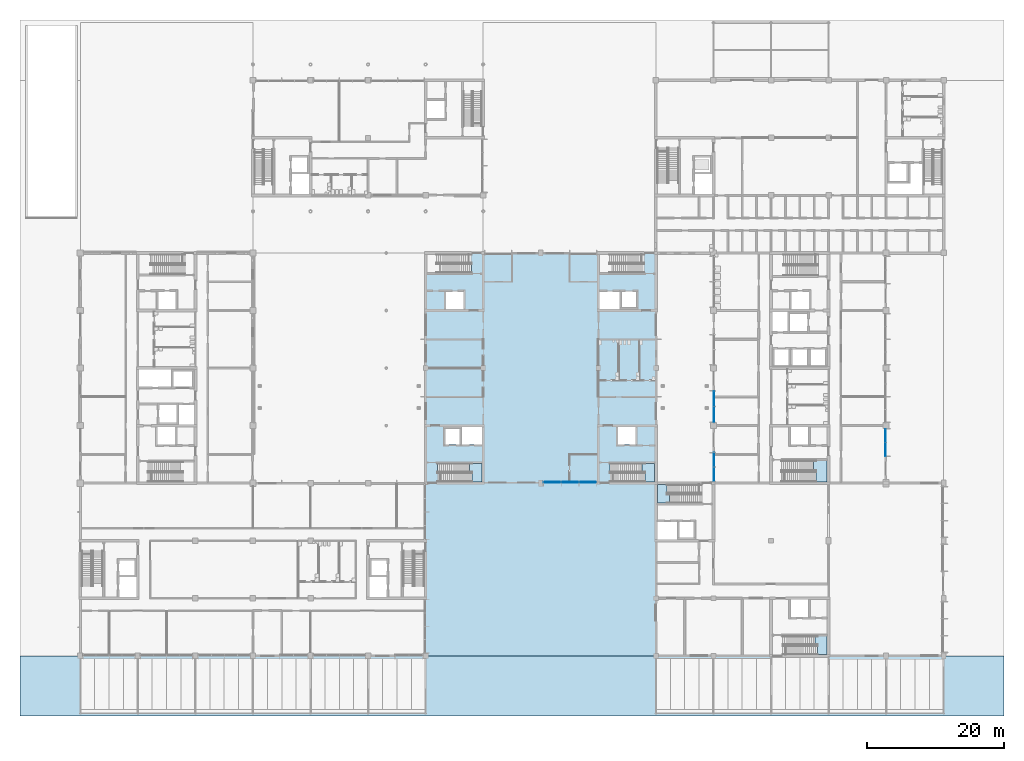
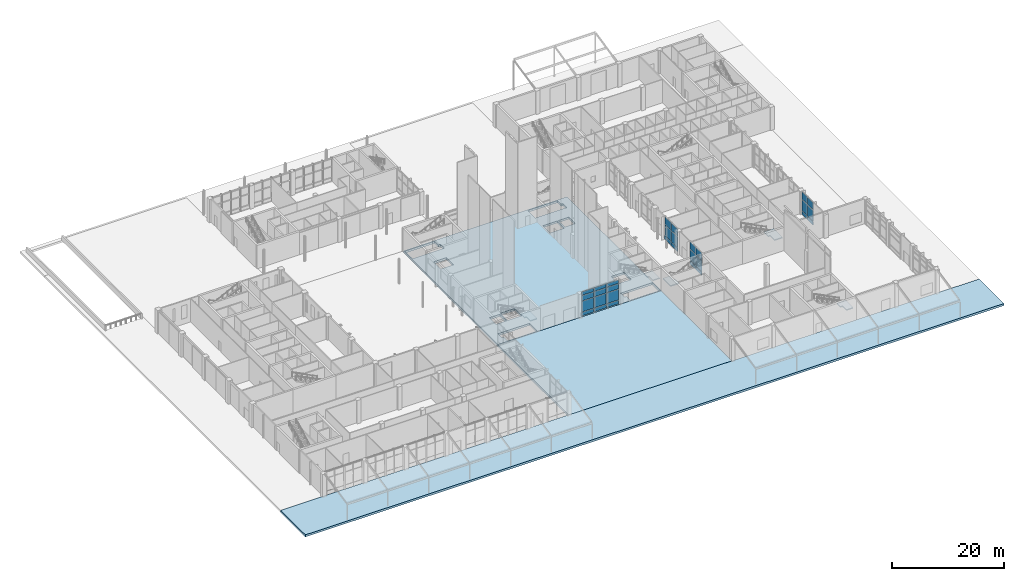
# One storey, part 27 of 76: 30 plates, 8 slabs, 9 elements without a shape of their own.
"""IFC4 building model written with IfcOpenShell, lengths in metres."""

from ifc_helpers import new_model, si_unit, direction, frame, origin, origin_2d, place, context, subcontext, project, spatial, polyline, rectangle, outline, extrude, material, layer, layer_set, type_object, element, aggregate, save


model = new_model("IFC4")

# Units and contexts
model_context = context("Model", 3, precision=1e-05, world=origin(), true_north=direction((0.0, 1.0)))
body_context = subcontext(model_context, "Body", "Model", "MODEL_VIEW")
ifc_project = project(units=[si_unit("LENGTHUNIT", "METRE"), si_unit("AREAUNIT", "SQUARE_METRE"), si_unit("VOLUMEUNIT", "CUBIC_METRE"), si_unit("PLANEANGLEUNIT", "RADIAN"), si_unit("MASSUNIT", "GRAM", prefix="KILO")], contexts=[model_context])

# Site, building, storey
site_placement = place(None, origin())
site = spatial("IfcSite", under=ifc_project, at=site_placement, CompositionType="ELEMENT")
building_placement = place(site_placement, origin())
building = spatial("IfcBuilding", under=site, at=building_placement, Name="Hlaing Beacon Police Headquarters", CompositionType="ELEMENT")
storey_placement = place(building_placement, origin())
storey = spatial("IfcBuildingStorey", under=building, at=storey_placement, Name="L00", CompositionType="ELEMENT", Elevation=0.0)

# Curtain wall, plate
ifc_material_1 = material(Name="Aluminium frame with solar control glazing", Category="aluminium")
curtain_wall_type_1 = type_object("IfcCurtainWallType", Name="Unitised curtain wall 4.05 x 5.05", PredefinedType="NOTDEFINED", material=ifc_material_1)
curtain_wall_1_placement = place(storey_placement, origin())
curtain_wall_1 = element("IfcCurtainWall", 1, at=curtain_wall_1_placement, inside=storey, type_object=curtain_wall_type_1, Name="ENV-CW-L00-E012", PredefinedType="NOTDEFINED")
ifc_material_2 = material(Name="Solar control glazing", Category="glass")
ifc_layer_1 = layer(ifc_material_2, 0.031982421875)
ifc_layer_set_1 = layer_set([ifc_layer_1], Name="Solar control glazing")
plate_type_1 = type_object("IfcPlateType", Name="Clear glazing panel 32", PredefinedType="CURTAIN_PANEL", material=ifc_layer_set_1)
plate_1_placement = place(storey_placement, frame((125.89990234375, 40.5224609375, 3.349853515625), z_axis=(0.0, 0.0, 1.0), x_axis=(0.0, 1.0, 0.0)))
plate_1 = element("IfcPlate", 2, at=plate_1_placement, type_object=plate_type_1, Name="CW-L00-E012 panel 2.3", PredefinedType="CURTAIN_PANEL", context=body_context, shape_type="SweptSolid", body=[
    extrude(rectangle(XDim=1.93505859375, YDim=0.031982421875, at=origin_2d()), origin(), (0.0, 0.0, 1.0), 1.60009765625),
])

ifc_material_3 = material(Name="Aluminium frame with solar control glazing", Category="aluminium")
curtain_wall_type_2 = type_object("IfcCurtainWallType", Name="Unitised curtain wall 4.30 x 5.05", PredefinedType="NOTDEFINED", material=ifc_material_3)
curtain_wall_2_placement = place(storey_placement, origin())
curtain_wall_2 = element("IfcCurtainWall", 3, at=curtain_wall_2_placement, inside=storey, type_object=curtain_wall_type_2, Name="ENV-CW-L00-W019", PredefinedType="NOTDEFINED")
plate_2_placement = place(storey_placement, frame((100.89990234375, 34.889892578125, 3.349853515625), z_axis=(0.0, 0.0, 1.0), x_axis=(0.0, -1.0, 0.0)))
plate_2 = element("IfcPlate", 4, at=plate_2_placement, type_object=plate_type_1, Name="CW-L00-W019 panel 2.3", PredefinedType="CURTAIN_PANEL", context=body_context, shape_type="SweptSolid", body=[
    extrude(rectangle(XDim=2.06005859375, YDim=0.031982421875, at=origin_2d()), origin(), (0.0, 0.0, 1.0), 1.60009765625),
])

# Plate
ifc_material_4 = material(Name="Solar control glazing", Category="glass")
ifc_layer_2 = layer(ifc_material_4, 0.0439453125)
ifc_layer_set_2 = layer_set([ifc_layer_2], Name="Solar control glazing")
plate_type_2 = type_object("IfcPlateType", Name="Clear glazing panel 44", PredefinedType="CURTAIN_PANEL", material=ifc_layer_set_2)
plate_3_placement = place(storey_placement, frame((125.89990234375, 40.5224609375, 0.9501953125), z_axis=(0.0, 0.0, 1.0), x_axis=(0.0, 1.0, 0.0)))
plate_3 = element("IfcPlate", 5, at=plate_3_placement, type_object=plate_type_2, Name="CW-L00-E012 panel 2.2", PredefinedType="CURTAIN_PANEL", context=body_context, shape_type="SweptSolid", body=[
    extrude(rectangle(XDim=1.93505859375, YDim=0.0439453125, at=origin_2d()), origin(), (0.0, 0.0, 1.0), 2.300048828125),
])

# Curtain wall, plates
ifc_material_5 = material(Name="Aluminium frame with solar control glazing", Category="aluminium")
curtain_wall_type_3 = type_object("IfcCurtainWallType", Name="Unitised curtain wall 4.65 x 5.05", PredefinedType="NOTDEFINED", material=ifc_material_5)
curtain_wall_3_placement = place(storey_placement, origin())
curtain_wall_3 = element("IfcCurtainWall", 6, at=curtain_wall_3_placement, inside=storey, type_object=curtain_wall_type_3, Name="ENV-CW-L00-W018", PredefinedType="NOTDEFINED")
plate_4_placement = place(storey_placement, frame((100.89990234375, 43.62744140625, 0.9501953125), z_axis=(0.0, 0.0, 1.0), x_axis=(0.0, -1.0, 0.0)))
plate_4 = element("IfcPlate", 7, at=plate_4_placement, type_object=plate_type_2, Name="CW-L00-W018 panel 2.2", PredefinedType="CURTAIN_PANEL", context=body_context, shape_type="SweptSolid", body=[
    extrude(rectangle(XDim=2.235107421875, YDim=0.0439453125, at=origin_2d()), origin(), (0.0, 0.0, 1.0), 2.300048828125),
])
plate_5_placement = place(storey_placement, frame((100.89990234375, 43.62744140625, 3.349853515625), z_axis=(0.0, 0.0, 1.0), x_axis=(0.0, -1.0, 0.0)))
plate_5 = element("IfcPlate", 8, at=plate_5_placement, type_object=plate_type_2, Name="CW-L00-W018 panel 2.3", PredefinedType="CURTAIN_PANEL", context=body_context, shape_type="SweptSolid", body=[
    extrude(rectangle(XDim=2.235107421875, YDim=0.0439453125, at=origin_2d()), origin(), (0.0, 0.0, 1.0), 1.60009765625),
])

# Plate
plate_6_placement = place(storey_placement, frame((100.89990234375, 34.889892578125, 0.9501953125), z_axis=(0.0, 0.0, 1.0), x_axis=(0.0, -1.0, 0.0)))
plate_6 = element("IfcPlate", 9, at=plate_6_placement, type_object=plate_type_2, Name="CW-L00-W019 panel 2.2", PredefinedType="CURTAIN_PANEL", context=body_context, shape_type="SweptSolid", body=[
    extrude(rectangle(XDim=2.06005859375, YDim=0.0439453125, at=origin_2d()), origin(), (0.0, 0.0, 1.0), 2.300048828125),
])

# Slabs
ifc_material_6 = material(Name="Concrete C50/60", Category="concrete")
ifc_layer_3 = layer(ifc_material_6, 0.449951171875)
ifc_layer_set_3 = layer_set([ifc_layer_3], Name="Concrete C50/60")
slab_type_1 = type_object("IfcSlabType", Name="Deck slab 450", PredefinedType="FLOOR", material=ifc_layer_set_3)
slab_1_placement = place(storey_placement, frame((0.0, 0.0, -0.449951171875)))
element("IfcSlab", 10, at=slab_1_placement, inside=storey, type_object=slab_type_1, Name="STR-SLAB-L00-03", PredefinedType="FLOOR", context=body_context, shape_type="SweptSolid", body=[
    extrude(outline(polyline([(58.800048828125, 33.60009765625), (92.39990234375, 33.60009765625), (92.39990234375, 67.199951171875), (58.800048828125, 67.199951171875), (58.800048828125, 33.60009765625)]), holes=[polyline([(59.0, 64.300048828125), (65.489990234375, 64.300048828125), (65.489990234375, 65.699951171875), (65.10009765625, 65.699951171875), (65.10009765625, 67.0), (59.0, 67.0), (59.0, 64.300048828125)]), polyline([(60.89990234375, 33.800048828125), (67.0, 33.800048828125), (67.0, 36.5), (60.510009765625, 36.5), (60.510009765625, 35.10009765625), (60.89990234375, 35.10009765625), (60.89990234375, 33.800048828125)]), polyline([(61.64990234375, 39.25), (63.800048828125, 39.25), (63.800048828125, 41.550048828125), (61.64990234375, 41.550048828125), (61.64990234375, 39.25)]), polyline([(61.75, 59.0), (64.35009765625, 59.0), (64.35009765625, 61.550048828125), (61.75, 61.550048828125), (61.75, 59.0)]), polyline([(64.050048828125, 39.25), (67.0, 39.25), (67.0, 41.800048828125), (64.050048828125, 41.800048828125), (64.050048828125, 39.25)]), polyline([(84.199951171875, 59.0), (87.14990234375, 59.0), (87.14990234375, 61.550048828125), (84.199951171875, 61.550048828125), (84.199951171875, 59.0)]), polyline([(84.199951171875, 64.300048828125), (90.68994140625, 64.300048828125), (90.68994140625, 65.699951171875), (90.300048828125, 65.699951171875), (90.300048828125, 67.0), (84.199951171875, 67.0), (84.199951171875, 64.300048828125)]), polyline([(86.10009765625, 33.800048828125), (92.199951171875, 33.800048828125), (92.199951171875, 36.5), (85.7099609375, 36.5), (85.7099609375, 35.10009765625), (86.10009765625, 35.10009765625), (86.10009765625, 33.800048828125)]), polyline([(86.85009765625, 39.25), (89.449951171875, 39.25), (89.449951171875, 41.800048828125), (86.85009765625, 41.800048828125), (86.85009765625, 39.25)]), polyline([(87.39990234375, 59.25), (89.550048828125, 59.25), (89.550048828125, 61.550048828125), (87.39990234375, 61.550048828125), (87.39990234375, 59.25)])]), origin(), (0.0, 0.0, 1.0), 0.449951171875),
])
slab_2_placement = place(storey_placement, frame((0.0, 0.0, -0.449951171875)))
element("IfcSlab", 11, at=slab_2_placement, inside=storey, type_object=slab_type_1, Name="STR-SLAB-L00-05", PredefinedType="FLOOR", context=body_context, shape_type="SweptSolid", body=[
    extrude(outline(polyline([(58.800048828125, 8.39990234375), (92.39990234375, 8.39990234375), (92.39990234375, 33.60009765625), (58.800048828125, 33.60009765625), (58.800048828125, 8.39990234375)])), origin(), (0.0, 0.0, 1.0), 0.449951171875),
])
slab_3_placement = place(storey_placement, frame((0.0, 0.0, -0.449951171875)))
element("IfcSlab", 12, at=slab_3_placement, inside=storey, type_object=slab_type_1, Name="STR-SLAB-L00-11", PredefinedType="FLOOR", context=body_context, shape_type="SweptSolid", body=[
    extrude(outline(polyline([(-0.39990234375, -0.39990234375), (143.199951171875, -0.39990234375), (143.199951171875, 8.39990234375), (-0.39990234375, 8.39990234375), (-0.39990234375, -0.39990234375)])), origin(), (0.0, 0.0, 1.0), 0.449951171875),
])

# Plate
ifc_material_7 = material(Name="Fritted solar control glazing", Category="glass")
ifc_layer_4 = layer(ifc_material_7, 0.031982421875)
ifc_layer_set_4 = layer_set([ifc_layer_4], Name="Fritted solar control glazing")
plate_type_3 = type_object("IfcPlateType", Name="Fritted glazing panel 32", PredefinedType="CURTAIN_PANEL", material=ifc_layer_set_4)
plate_7_placement = place(storey_placement, frame((125.89990234375, 38.527587890625, 3.349853515625), z_axis=(0.0, 0.0, 1.0), x_axis=(0.0, 1.0, 0.0)))
plate_7 = element("IfcPlate", 13, at=plate_7_placement, type_object=plate_type_3, Name="CW-L00-E012 panel 1.3", PredefinedType="CURTAIN_PANEL", context=body_context, shape_type="SweptSolid", body=[
    extrude(rectangle(XDim=1.93505859375, YDim=0.031982421875, at=origin_2d()), origin(), (0.0, 0.0, 1.0), 1.60009765625),
])

plate_8_placement = place(storey_placement, frame((100.89990234375, 37.010009765625, 3.349853515625), z_axis=(0.0, 0.0, 1.0), x_axis=(0.0, -1.0, 0.0)))
plate_8 = element("IfcPlate", 14, at=plate_8_placement, type_object=plate_type_3, Name="CW-L00-W019 panel 1.3", PredefinedType="CURTAIN_PANEL", context=body_context, shape_type="SweptSolid", body=[
    extrude(rectangle(XDim=2.06005859375, YDim=0.031982421875, at=origin_2d()), origin(), (0.0, 0.0, 1.0), 1.60009765625),
])

ifc_material_8 = material(Name="Fritted solar control glazing", Category="glass")
ifc_layer_5 = layer(ifc_material_8, 0.0439453125)
ifc_layer_set_5 = layer_set([ifc_layer_5], Name="Fritted solar control glazing")
plate_type_4 = type_object("IfcPlateType", Name="Fritted glazing panel 44", PredefinedType="CURTAIN_PANEL", material=ifc_layer_set_5)
plate_9_placement = place(storey_placement, frame((125.89990234375, 38.527587890625, 0.9501953125), z_axis=(0.0, 0.0, 1.0), x_axis=(0.0, 1.0, 0.0)))
plate_9 = element("IfcPlate", 15, at=plate_9_placement, type_object=plate_type_4, Name="CW-L00-E012 panel 1.2", PredefinedType="CURTAIN_PANEL", context=body_context, shape_type="SweptSolid", body=[
    extrude(rectangle(XDim=1.93505859375, YDim=0.0439453125, at=origin_2d()), origin(), (0.0, 0.0, 1.0), 2.300048828125),
])

plate_10_placement = place(storey_placement, frame((100.89990234375, 45.922607421875, 0.9501953125), z_axis=(0.0, 0.0, 1.0), x_axis=(0.0, -1.0, 0.0)))
plate_10 = element("IfcPlate", 16, at=plate_10_placement, type_object=plate_type_4, Name="CW-L00-W018 panel 1.2", PredefinedType="CURTAIN_PANEL", context=body_context, shape_type="SweptSolid", body=[
    extrude(rectangle(XDim=2.235107421875, YDim=0.0439453125, at=origin_2d()), origin(), (0.0, 0.0, 1.0), 2.300048828125),
])

plate_11_placement = place(storey_placement, frame((100.89990234375, 45.922607421875, 3.349853515625), z_axis=(0.0, 0.0, 1.0), x_axis=(0.0, -1.0, 0.0)))
plate_11 = element("IfcPlate", 17, at=plate_11_placement, type_object=plate_type_4, Name="CW-L00-W018 panel 1.3", PredefinedType="CURTAIN_PANEL", context=body_context, shape_type="SweptSolid", body=[
    extrude(rectangle(XDim=2.235107421875, YDim=0.0439453125, at=origin_2d()), origin(), (0.0, 0.0, 1.0), 1.60009765625),
])

plate_12_placement = place(storey_placement, frame((100.89990234375, 37.010009765625, 0.9501953125), z_axis=(0.0, 0.0, 1.0), x_axis=(0.0, -1.0, 0.0)))
plate_12 = element("IfcPlate", 18, at=plate_12_placement, type_object=plate_type_4, Name="CW-L00-W019 panel 1.2", PredefinedType="CURTAIN_PANEL", context=body_context, shape_type="SweptSolid", body=[
    extrude(rectangle(XDim=2.06005859375, YDim=0.0439453125, at=origin_2d()), origin(), (0.0, 0.0, 1.0), 2.300048828125),
])

ifc_material_9 = material(Name="Insulated aluminium spandrel", Category="aluminium")
ifc_layer_6 = layer(ifc_material_9, 0.10009765625)
ifc_layer_set_6 = layer_set([ifc_layer_6], Name="Insulated aluminium spandrel")
plate_type_5 = type_object("IfcPlateType", Name="Insulated spandrel panel 100", PredefinedType="CURTAIN_PANEL", material=ifc_layer_set_6)
plate_13_placement = place(storey_placement, frame((125.89990234375, 38.527587890625, 0.10009765625), z_axis=(0.0, 0.0, 1.0), x_axis=(0.0, 1.0, 0.0)))
plate_13 = element("IfcPlate", 19, at=plate_13_placement, type_object=plate_type_5, Name="CW-L00-E012 panel 1.1", PredefinedType="CURTAIN_PANEL", context=body_context, shape_type="SweptSolid", body=[
    extrude(rectangle(XDim=1.93505859375, YDim=0.10009765625, at=origin_2d()), origin(), (0.0, 0.0, 1.0), 0.75),
])

plate_14_placement = place(storey_placement, frame((125.89990234375, 40.5224609375, 0.10009765625), z_axis=(0.0, 0.0, 1.0), x_axis=(0.0, 1.0, 0.0)))
plate_14 = element("IfcPlate", 20, at=plate_14_placement, type_object=plate_type_5, Name="CW-L00-E012 panel 2.1", PredefinedType="CURTAIN_PANEL", context=body_context, shape_type="SweptSolid", body=[
    extrude(rectangle(XDim=1.93505859375, YDim=0.10009765625, at=origin_2d()), origin(), (0.0, 0.0, 1.0), 0.75),
])

aggregate(curtain_wall_1, [plate_13, plate_9, plate_7, plate_14, plate_3, plate_1])

plate_15_placement = place(storey_placement, frame((100.89990234375, 45.922607421875, 0.10009765625), z_axis=(0.0, 0.0, 1.0), x_axis=(0.0, -1.0, 0.0)))
plate_15 = element("IfcPlate", 21, at=plate_15_placement, type_object=plate_type_5, Name="CW-L00-W018 panel 1.1", PredefinedType="CURTAIN_PANEL", context=body_context, shape_type="SweptSolid", body=[
    extrude(rectangle(XDim=2.235107421875, YDim=0.10009765625, at=origin_2d()), origin(), (0.0, 0.0, 1.0), 0.75),
])

plate_16_placement = place(storey_placement, frame((100.89990234375, 43.62744140625, 0.10009765625), z_axis=(0.0, 0.0, 1.0), x_axis=(0.0, -1.0, 0.0)))
plate_16 = element("IfcPlate", 22, at=plate_16_placement, type_object=plate_type_5, Name="CW-L00-W018 panel 2.1", PredefinedType="CURTAIN_PANEL", context=body_context, shape_type="SweptSolid", body=[
    extrude(rectangle(XDim=2.235107421875, YDim=0.10009765625, at=origin_2d()), origin(), (0.0, 0.0, 1.0), 0.75),
])

aggregate(curtain_wall_3, [plate_15, plate_10, plate_11, plate_16, plate_4, plate_5])

plate_17_placement = place(storey_placement, frame((100.89990234375, 37.010009765625, 0.10009765625), z_axis=(0.0, 0.0, 1.0), x_axis=(0.0, -1.0, 0.0)))
plate_17 = element("IfcPlate", 23, at=plate_17_placement, type_object=plate_type_5, Name="CW-L00-W019 panel 1.1", PredefinedType="CURTAIN_PANEL", context=body_context, shape_type="SweptSolid", body=[
    extrude(rectangle(XDim=2.06005859375, YDim=0.10009765625, at=origin_2d()), origin(), (0.0, 0.0, 1.0), 0.75),
])

plate_18_placement = place(storey_placement, frame((100.89990234375, 34.889892578125, 0.10009765625), z_axis=(0.0, 0.0, 1.0), x_axis=(0.0, -1.0, 0.0)))
plate_18 = element("IfcPlate", 24, at=plate_18_placement, type_object=plate_type_5, Name="CW-L00-W019 panel 2.1", PredefinedType="CURTAIN_PANEL", context=body_context, shape_type="SweptSolid", body=[
    extrude(rectangle(XDim=2.06005859375, YDim=0.10009765625, at=origin_2d()), origin(), (0.0, 0.0, 1.0), 0.75),
])

aggregate(curtain_wall_2, [plate_17, plate_12, plate_8, plate_18, plate_6, plate_2])

# Curtain wall, plates
ifc_material_10 = material(Name="Aluminium frame with solar control glazing", Category="aluminium")
curtain_wall_type_4 = type_object("IfcCurtainWallType", Name="Structural glazed gable wall 7.85 x 5.40", PredefinedType="NOTDEFINED", material=ifc_material_10)
curtain_wall_4_placement = place(storey_placement, origin())
curtain_wall_4 = element("IfcCurtainWall", 25, at=curtain_wall_4_placement, inside=storey, type_object=curtain_wall_type_4, Name="ENV-CW-L00-S022", PredefinedType="NOTDEFINED")
plate_19_placement = place(storey_placement, frame((77.283447265625, 33.75, 0.10009765625), z_axis=(0.0, 0.0, 1.0), x_axis=(1.0, 0.0, 0.0)))
plate_19 = element("IfcPlate", 26, at=plate_19_placement, type_object=plate_type_5, Name="CW-L00-S022 panel 1.1", PredefinedType="CURTAIN_PANEL", context=body_context, shape_type="SweptSolid", body=[
    extrude(rectangle(XDim=2.466552734375, YDim=0.10009765625, at=origin_2d()), origin(), (0.0, 0.0, 1.0), 0.75),
])
plate_20_placement = place(storey_placement, frame((79.875, 33.75, 0.10009765625), z_axis=(0.0, 0.0, 1.0), x_axis=(1.0, 0.0, 0.0)))
plate_20 = element("IfcPlate", 27, at=plate_20_placement, type_object=plate_type_5, Name="CW-L00-S022 panel 2.1", PredefinedType="CURTAIN_PANEL", context=body_context, shape_type="SweptSolid", body=[
    extrude(rectangle(XDim=2.5166015625, YDim=0.10009765625, at=origin_2d()), origin(), (0.0, 0.0, 1.0), 0.75),
])
plate_21_placement = place(storey_placement, frame((82.466552734375, 33.75, 0.10009765625), z_axis=(0.0, 0.0, 1.0), x_axis=(1.0, 0.0, 0.0)))
plate_21 = element("IfcPlate", 28, at=plate_21_placement, type_object=plate_type_5, Name="CW-L00-S022 panel 3.1", PredefinedType="CURTAIN_PANEL", context=body_context, shape_type="SweptSolid", body=[
    extrude(rectangle(XDim=2.466552734375, YDim=0.10009765625, at=origin_2d()), origin(), (0.0, 0.0, 1.0), 0.75),
])
ifc_material_11 = material(Name="Laminated solar control glazing", Category="glass")
ifc_layer_7 = layer(ifc_material_11, 0.031982421875)
ifc_layer_set_7 = layer_set([ifc_layer_7], Name="Laminated solar control glazing")
plate_type_6 = type_object("IfcPlateType", Name="Laminated glazing panel 32", PredefinedType="CURTAIN_PANEL", material=ifc_layer_set_7)
plate_22_placement = place(storey_placement, frame((77.283447265625, 33.75, 3.349853515625), z_axis=(0.0, 0.0, 1.0), x_axis=(1.0, 0.0, 0.0)))
plate_22 = element("IfcPlate", 29, at=plate_22_placement, type_object=plate_type_6, Name="CW-L00-S022 panel 1.3", PredefinedType="CURTAIN_PANEL", context=body_context, shape_type="SweptSolid", body=[
    extrude(rectangle(XDim=2.466552734375, YDim=0.031982421875, at=origin_2d()), origin(), (0.0, 0.0, 1.0), 1.10009765625),
])
plate_23_placement = place(storey_placement, frame((77.283447265625, 33.75, 4.550048828125), z_axis=(0.0, 0.0, 1.0), x_axis=(1.0, 0.0, 0.0)))
plate_23 = element("IfcPlate", 30, at=plate_23_placement, type_object=plate_type_6, Name="CW-L00-S022 panel 1.4", PredefinedType="CURTAIN_PANEL", context=body_context, shape_type="SweptSolid", body=[
    extrude(rectangle(XDim=2.466552734375, YDim=0.031982421875, at=origin_2d()), origin(), (0.0, 0.0, 1.0), 0.75),
])
plate_24_placement = place(storey_placement, frame((79.875, 33.75, 3.349853515625), z_axis=(0.0, 0.0, 1.0), x_axis=(1.0, 0.0, 0.0)))
plate_24 = element("IfcPlate", 31, at=plate_24_placement, type_object=plate_type_6, Name="CW-L00-S022 panel 2.3", PredefinedType="CURTAIN_PANEL", context=body_context, shape_type="SweptSolid", body=[
    extrude(rectangle(XDim=2.5166015625, YDim=0.031982421875, at=origin_2d()), origin(), (0.0, 0.0, 1.0), 1.10009765625),
])
plate_25_placement = place(storey_placement, frame((79.875, 33.75, 4.550048828125), z_axis=(0.0, 0.0, 1.0), x_axis=(1.0, 0.0, 0.0)))
plate_25 = element("IfcPlate", 32, at=plate_25_placement, type_object=plate_type_6, Name="CW-L00-S022 panel 2.4", PredefinedType="CURTAIN_PANEL", context=body_context, shape_type="SweptSolid", body=[
    extrude(rectangle(XDim=2.5166015625, YDim=0.031982421875, at=origin_2d()), origin(), (0.0, 0.0, 1.0), 0.75),
])
plate_26_placement = place(storey_placement, frame((82.466552734375, 33.75, 3.349853515625), z_axis=(0.0, 0.0, 1.0), x_axis=(1.0, 0.0, 0.0)))
plate_26 = element("IfcPlate", 33, at=plate_26_placement, type_object=plate_type_6, Name="CW-L00-S022 panel 3.3", PredefinedType="CURTAIN_PANEL", context=body_context, shape_type="SweptSolid", body=[
    extrude(rectangle(XDim=2.466552734375, YDim=0.031982421875, at=origin_2d()), origin(), (0.0, 0.0, 1.0), 1.10009765625),
])
plate_27_placement = place(storey_placement, frame((82.466552734375, 33.75, 4.550048828125), z_axis=(0.0, 0.0, 1.0), x_axis=(1.0, 0.0, 0.0)))
plate_27 = element("IfcPlate", 34, at=plate_27_placement, type_object=plate_type_6, Name="CW-L00-S022 panel 3.4", PredefinedType="CURTAIN_PANEL", context=body_context, shape_type="SweptSolid", body=[
    extrude(rectangle(XDim=2.466552734375, YDim=0.031982421875, at=origin_2d()), origin(), (0.0, 0.0, 1.0), 0.75),
])
ifc_material_12 = material(Name="Laminated impact resistant glazing", Category="glass")
ifc_layer_8 = layer(ifc_material_12, 0.052001953125)
ifc_layer_set_8 = layer_set([ifc_layer_8], Name="Laminated impact resistant glazing")
plate_type_7 = type_object("IfcPlateType", Name="Laminated impact glazing panel 52", PredefinedType="CURTAIN_PANEL", material=ifc_layer_set_8)
plate_28_placement = place(storey_placement, frame((77.283447265625, 33.75, 0.9501953125), z_axis=(0.0, 0.0, 1.0), x_axis=(1.0, 0.0, 0.0)))
plate_28 = element("IfcPlate", 35, at=plate_28_placement, type_object=plate_type_7, Name="CW-L00-S022 panel 1.2", PredefinedType="CURTAIN_PANEL", context=body_context, shape_type="SweptSolid", body=[
    extrude(rectangle(XDim=2.466552734375, YDim=0.052001953125, at=origin_2d()), origin(), (0.0, 0.0, 1.0), 2.300048828125),
])
plate_29_placement = place(storey_placement, frame((79.875, 33.75, 0.9501953125), z_axis=(0.0, 0.0, 1.0), x_axis=(1.0, 0.0, 0.0)))
plate_29 = element("IfcPlate", 36, at=plate_29_placement, type_object=plate_type_7, Name="CW-L00-S022 panel 2.2", PredefinedType="CURTAIN_PANEL", context=body_context, shape_type="SweptSolid", body=[
    extrude(rectangle(XDim=2.5166015625, YDim=0.052001953125, at=origin_2d()), origin(), (0.0, 0.0, 1.0), 2.300048828125),
])
plate_30_placement = place(storey_placement, frame((82.466552734375, 33.75, 0.9501953125), z_axis=(0.0, 0.0, 1.0), x_axis=(1.0, 0.0, 0.0)))
plate_30 = element("IfcPlate", 37, at=plate_30_placement, type_object=plate_type_7, Name="CW-L00-S022 panel 3.2", PredefinedType="CURTAIN_PANEL", context=body_context, shape_type="SweptSolid", body=[
    extrude(rectangle(XDim=2.466552734375, YDim=0.052001953125, at=origin_2d()), origin(), (0.0, 0.0, 1.0), 2.300048828125),
])
aggregate(curtain_wall_4, [plate_19, plate_28, plate_22, plate_23, plate_20, plate_29, plate_24, plate_25, plate_21, plate_30, plate_26, plate_27])

# Stair, slab
ifc_material_13 = material(Name="Concrete C40/50", Category="concrete")
stair_type_1 = type_object("IfcStairType", Name="Half-turn stair 1300 wide, 5400 rise", PredefinedType="HALF_TURN_STAIR", material=ifc_material_13)
stair_1_placement = place(storey_placement, origin())
stair_1 = element("IfcStair", 38, at=stair_1_placement, inside=storey, type_object=stair_type_1, Name="Stair ST-A", PredefinedType="HALF_TURN_STAIR")
ifc_material_14 = material(Name="Concrete C40/50", Category="concrete")
ifc_layer_9 = layer(ifc_material_14, 0.219970703125)
ifc_layer_set_9 = layer_set([ifc_layer_9], Name="Concrete C40/50")
slab_type_2 = type_object("IfcSlabType", Name="Stair landing 220", PredefinedType="LANDING", material=ifc_layer_set_9)
slab_4_placement = place(storey_placement, frame((0.0, 0.0, 2.47998046875)))
slab_4 = element("IfcSlab", 39, at=slab_4_placement, type_object=slab_type_2, Name="ST-A landing 1", PredefinedType="LANDING", context=body_context, shape_type="SweptSolid", body=[
    extrude(outline(polyline([(65.590087890625, 33.800048828125), (67.0, 33.800048828125), (67.0, 36.5), (65.199951171875, 36.5), (65.199951171875, 35.199951171875), (65.590087890625, 35.199951171875), (65.590087890625, 33.800048828125)])), origin(), (0.0, 0.0, 1.0), 0.219970703125),
])
aggregate(stair_1, [slab_4])

stair_2_placement = place(storey_placement, origin())
stair_2 = element("IfcStair", 40, at=stair_2_placement, inside=storey, type_object=stair_type_1, Name="Stair ST-C", PredefinedType="HALF_TURN_STAIR")
slab_5_placement = place(storey_placement, frame((0.0, 0.0, 2.47998046875)))
slab_5 = element("IfcSlab", 41, at=slab_5_placement, type_object=slab_type_2, Name="ST-C landing 1", PredefinedType="LANDING", context=body_context, shape_type="SweptSolid", body=[
    extrude(outline(polyline([(90.7900390625, 33.800048828125), (92.199951171875, 33.800048828125), (92.199951171875, 36.5), (90.39990234375, 36.5), (90.39990234375, 35.199951171875), (90.7900390625, 35.199951171875), (90.7900390625, 33.800048828125)])), origin(), (0.0, 0.0, 1.0), 0.219970703125),
])
aggregate(stair_2, [slab_5])

stair_3_placement = place(storey_placement, origin())
stair_3 = element("IfcStair", 42, at=stair_3_placement, inside=storey, type_object=stair_type_1, Name="Stair ST-G", PredefinedType="HALF_TURN_STAIR")
slab_6_placement = place(storey_placement, frame((0.0, 0.0, 2.47998046875)))
slab_6 = element("IfcSlab", 43, at=slab_6_placement, type_object=slab_type_2, Name="ST-G landing 1", PredefinedType="LANDING", context=body_context, shape_type="SweptSolid", body=[
    extrude(outline(polyline([(94.010009765625, 33.39990234375), (92.60009765625, 33.39990234375), (92.60009765625, 30.699951171875), (94.39990234375, 30.699951171875), (94.39990234375, 32.0), (94.010009765625, 32.0), (94.010009765625, 33.39990234375)])), origin(), (0.0, 0.0, 1.0), 0.219970703125),
])
aggregate(stair_3, [slab_6])

stair_4_placement = place(storey_placement, origin())
stair_4 = element("IfcStair", 44, at=stair_4_placement, inside=storey, type_object=stair_type_1, Name="Stair ST-H", PredefinedType="HALF_TURN_STAIR")
slab_7_placement = place(storey_placement, frame((0.0, 0.0, 2.47998046875)))
slab_7 = element("IfcSlab", 45, at=slab_7_placement, type_object=slab_type_2, Name="ST-H landing 1", PredefinedType="LANDING", context=body_context, shape_type="SweptSolid", body=[
    extrude(outline(polyline([(115.989990234375, 8.60009765625), (117.39990234375, 8.60009765625), (117.39990234375, 11.300048828125), (115.60009765625, 11.300048828125), (115.60009765625, 10.0), (115.989990234375, 10.0), (115.989990234375, 8.60009765625)])), origin(), (0.0, 0.0, 1.0), 0.219970703125),
])
aggregate(stair_4, [slab_7])

ifc_material_15 = material(Name="Concrete C40/50", Category="concrete")
stair_type_2 = type_object("IfcStairType", Name="Half-turn stair 1500 wide, 5400 rise", PredefinedType="HALF_TURN_STAIR", material=ifc_material_15)
stair_5_placement = place(storey_placement, origin())
stair_5 = element("IfcStair", 46, at=stair_5_placement, inside=storey, type_object=stair_type_2, Name="Stair ST-L", PredefinedType="HALF_TURN_STAIR")
slab_8_placement = place(storey_placement, frame((0.0, 0.0, 2.47998046875)))
slab_8 = element("IfcSlab", 47, at=slab_8_placement, type_object=slab_type_2, Name="ST-L landing 1", PredefinedType="LANDING", context=body_context, shape_type="SweptSolid", body=[
    extrude(outline(polyline([(115.7900390625, 33.800048828125), (117.39990234375, 33.800048828125), (117.39990234375, 36.89990234375), (115.39990234375, 36.89990234375), (115.39990234375, 35.39990234375), (115.7900390625, 35.39990234375), (115.7900390625, 33.800048828125)])), origin(), (0.0, 0.0, 1.0), 0.219970703125),
])
aggregate(stair_5, [slab_8])

save(model, "model.ifc")
